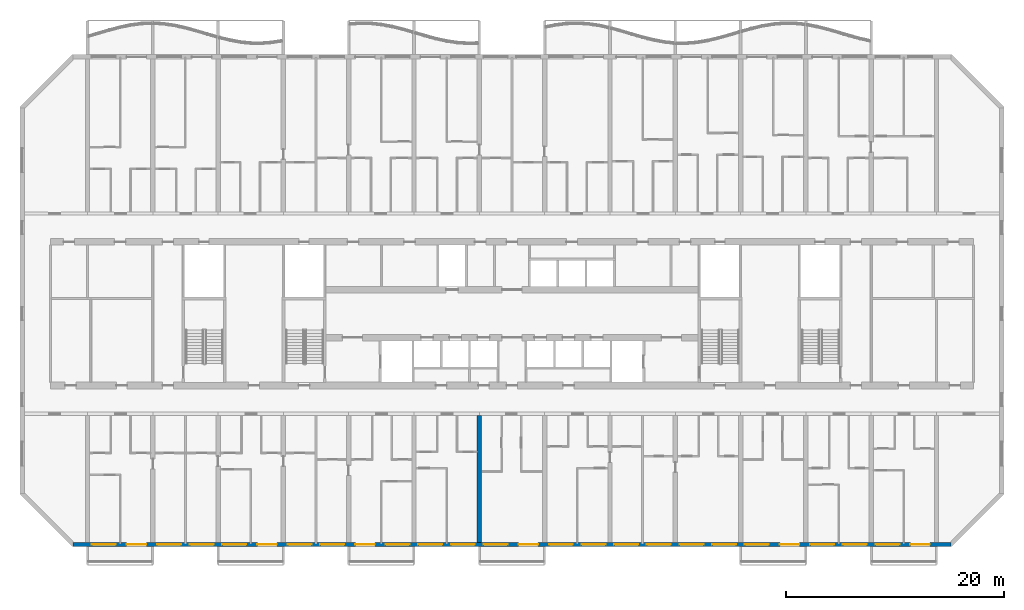
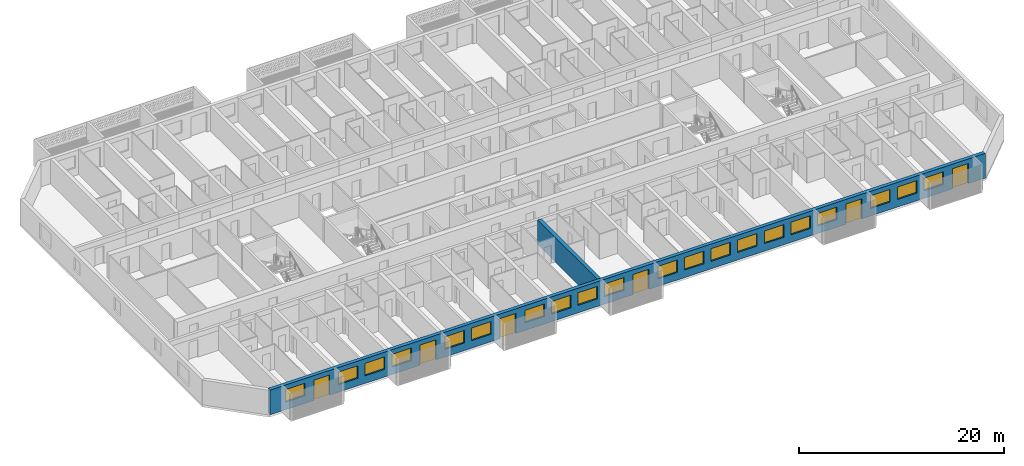
# One storey, part 4 of 39: 20 windows, 6 doors, 2 walls, 26 openings.
"""IFC4 building model written with IfcOpenShell, lengths in metres."""

from ifc_helpers import new_model, si_unit, direction, frame, frame_2d, origin, place, context, subcontext, project, spatial, rectangle, extrude, material, layer, layer_set, type_object, element, fill, save


model = new_model("IFC4")

# Units and contexts
model_context = context("Model", 3, precision=1e-05, world=origin(), true_north=direction((0.0, 1.0)))
body_context = subcontext(model_context, "Body", "Model", "MODEL_VIEW")
ifc_project = project(units=[si_unit("LENGTHUNIT", "METRE"), si_unit("AREAUNIT", "SQUARE_METRE"), si_unit("VOLUMEUNIT", "CUBIC_METRE"), si_unit("PLANEANGLEUNIT", "RADIAN"), si_unit("MASSUNIT", "GRAM", prefix="KILO")], contexts=[model_context])

# Site, building, storey
site_placement = place(None, origin())
site = spatial("IfcSite", under=ifc_project, at=site_placement, CompositionType="ELEMENT")
building_placement = place(site_placement, origin())
building = spatial("IfcBuilding", under=site, at=building_placement, Name="Poui Terraces", CompositionType="ELEMENT")
storey_placement = place(building_placement, frame((0.0, 0.0, 63.0)))
storey = spatial("IfcBuildingStorey", under=building, at=storey_placement, Name="L17", CompositionType="ELEMENT", Elevation=63.0)

# Wall
ifc_material_1 = material(Name="Concrete 80 MPa", Category="concrete")
ifc_layer_1 = layer(ifc_material_1, 0.39990234375)
ifc_layer_set_1 = layer_set([ifc_layer_1], Name="Concrete 80 MPa")
wall_type_1 = type_object("IfcWallType", Name="CROSS WALL 400 80MPa", PredefinedType="SHEAR", material=ifc_layer_set_1)
wall_1_placement = place(storey_placement, frame((48.0, 0.199951171875, 0.0), z_axis=(0.0, 0.0, 1.0), x_axis=(0.0, 1.0, 0.0)))
element("IfcWall", 1, at=wall_1_placement, inside=storey, type_object=wall_type_1, Name="CROSS WALL LINE 9 SOUTH", PredefinedType="SHEAR", context=body_context, shape_type="SweptSolid", body=[
    extrude(rectangle(XDim=11.650146484375, YDim=0.39990234375, at=frame_2d((5.8251953125, 0.0))), origin(), (0.0, 0.0, 1.0), 2.949951171875),
])

# Wall, openings, doors, windows
ifc_material_2 = material(Name="Precast concrete 40 MPa", Category="concrete")
ifc_layer_2 = layer(ifc_material_2, 0.39990234375)
ifc_layer_set_2 = layer_set([ifc_layer_2], Name="Precast concrete 40 MPa")
wall_type_2 = type_object("IfcWallType", Name="EXTERNAL WALL 400", PredefinedType="STANDARD", material=ifc_layer_set_2)
wall_2_placement = place(storey_placement, frame((10.682861328125, 0.0, 0.0), z_axis=(0.0, 0.0, 1.0), x_axis=(1.0, 0.0, 0.0)))
wall_2 = element("IfcWall", 2, at=wall_2_placement, inside=storey, type_object=wall_type_2, Name="EXTERNAL WALL S", PredefinedType="STANDARD", context=body_context, shape_type="SweptSolid", body=[
    extrude(rectangle(XDim=80.63427734375, YDim=0.39990234375, at=frame_2d((40.317138671875, 0.0))), origin(), (0.0, 0.0, 1.0), 2.949951171875),
])
opening_1_placement = place(wall_2_placement, frame((1.71728515625, 0.0, 0.89990234375)))
opening_1 = element("IfcOpeningElement", 3, at=opening_1_placement, cuts=wall_2, Name="Opening W1", PredefinedType="OPENING", context=body_context, shape_type="SweptSolid", body=[
    extrude(rectangle(XDim=2.199951171875, YDim=1.5, at=frame_2d((1.10009765625, 0.75))), frame((0.0, 0.2099609375, 0.0), z_axis=(0.0, -1.0, 0.0), x_axis=(1.0, 0.0, 0.0)), (0.0, 0.0, 1.0), 0.419921875),
])
opening_2_placement = place(wall_2_placement, frame((4.917236328125, 0.0, 0.0)))
opening_2 = element("IfcOpeningElement", 4, at=opening_2_placement, cuts=wall_2, Name="Opening BD1", PredefinedType="OPENING", context=body_context, shape_type="SweptSolid", body=[
    extrude(rectangle(XDim=1.800048828125, YDim=2.39990234375, at=frame_2d((0.89990234375, 1.199951171875))), frame((0.0, 0.2099609375, 0.0), z_axis=(0.0, -1.0, 0.0), x_axis=(1.0, 0.0, 0.0)), (0.0, 0.0, 1.0), 0.419921875),
])
opening_3_placement = place(wall_2_placement, frame((7.71728515625, 0.0, 0.89990234375)))
opening_3 = element("IfcOpeningElement", 5, at=opening_3_placement, cuts=wall_2, Name="Opening W1", PredefinedType="OPENING", context=body_context, shape_type="SweptSolid", body=[
    extrude(rectangle(XDim=2.199951171875, YDim=1.5, at=frame_2d((1.10009765625, 0.75))), frame((0.0, 0.2099609375, 0.0), z_axis=(0.0, -1.0, 0.0), x_axis=(1.0, 0.0, 0.0)), (0.0, 0.0, 1.0), 0.419921875),
])
opening_4_placement = place(wall_2_placement, frame((10.71728515625, 0.0, 0.89990234375)))
opening_4 = element("IfcOpeningElement", 6, at=opening_4_placement, cuts=wall_2, Name="Opening W1", PredefinedType="OPENING", context=body_context, shape_type="SweptSolid", body=[
    extrude(rectangle(XDim=2.199951171875, YDim=1.5, at=frame_2d((1.10009765625, 0.75))), frame((0.0, 0.2099609375, 0.0), z_axis=(0.0, -1.0, 0.0), x_axis=(1.0, 0.0, 0.0)), (0.0, 0.0, 1.0), 0.419921875),
])
opening_5_placement = place(wall_2_placement, frame((13.71728515625, 0.0, 0.89990234375)))
opening_5 = element("IfcOpeningElement", 7, at=opening_5_placement, cuts=wall_2, Name="Opening W1", PredefinedType="OPENING", context=body_context, shape_type="SweptSolid", body=[
    extrude(rectangle(XDim=2.199951171875, YDim=1.5, at=frame_2d((1.10009765625, 0.75))), frame((0.0, 0.2099609375, 0.0), z_axis=(0.0, -1.0, 0.0), x_axis=(1.0, 0.0, 0.0)), (0.0, 0.0, 1.0), 0.419921875),
])
opening_6_placement = place(wall_2_placement, frame((16.917236328125, 0.0, 0.0)))
opening_6 = element("IfcOpeningElement", 8, at=opening_6_placement, cuts=wall_2, Name="Opening BD1", PredefinedType="OPENING", context=body_context, shape_type="SweptSolid", body=[
    extrude(rectangle(XDim=1.800048828125, YDim=2.39990234375, at=frame_2d((0.89990234375, 1.199951171875))), frame((0.0, 0.2099609375, 0.0), z_axis=(0.0, -1.0, 0.0), x_axis=(1.0, 0.0, 0.0)), (0.0, 0.0, 1.0), 0.419921875),
])
opening_7_placement = place(wall_2_placement, frame((19.71728515625, 0.0, 0.89990234375)))
opening_7 = element("IfcOpeningElement", 9, at=opening_7_placement, cuts=wall_2, Name="Opening W1", PredefinedType="OPENING", context=body_context, shape_type="SweptSolid", body=[
    extrude(rectangle(XDim=2.199951171875, YDim=1.5, at=frame_2d((1.10009765625, 0.75))), frame((0.0, 0.2099609375, 0.0), z_axis=(0.0, -1.0, 0.0), x_axis=(1.0, 0.0, 0.0)), (0.0, 0.0, 1.0), 0.419921875),
])
opening_8_placement = place(wall_2_placement, frame((22.71728515625, 0.0, 0.89990234375)))
opening_8 = element("IfcOpeningElement", 10, at=opening_8_placement, cuts=wall_2, Name="Opening W1", PredefinedType="OPENING", context=body_context, shape_type="SweptSolid", body=[
    extrude(rectangle(XDim=2.199951171875, YDim=1.5, at=frame_2d((1.10009765625, 0.75))), frame((0.0, 0.2099609375, 0.0), z_axis=(0.0, -1.0, 0.0), x_axis=(1.0, 0.0, 0.0)), (0.0, 0.0, 1.0), 0.419921875),
])
opening_9_placement = place(wall_2_placement, frame((25.917236328125, 0.0, 0.0)))
opening_9 = element("IfcOpeningElement", 11, at=opening_9_placement, cuts=wall_2, Name="Opening BD1", PredefinedType="OPENING", context=body_context, shape_type="SweptSolid", body=[
    extrude(rectangle(XDim=1.800048828125, YDim=2.39990234375, at=frame_2d((0.89990234375, 1.199951171875))), frame((0.0, 0.2099609375, 0.0), z_axis=(0.0, -1.0, 0.0), x_axis=(1.0, 0.0, 0.0)), (0.0, 0.0, 1.0), 0.419921875),
])
opening_10_placement = place(wall_2_placement, frame((28.71728515625, 0.0, 0.89990234375)))
opening_10 = element("IfcOpeningElement", 12, at=opening_10_placement, cuts=wall_2, Name="Opening W1", PredefinedType="OPENING", context=body_context, shape_type="SweptSolid", body=[
    extrude(rectangle(XDim=2.199951171875, YDim=1.5, at=frame_2d((1.10009765625, 0.75))), frame((0.0, 0.2099609375, 0.0), z_axis=(0.0, -1.0, 0.0), x_axis=(1.0, 0.0, 0.0)), (0.0, 0.0, 1.0), 0.419921875),
])
opening_11_placement = place(wall_2_placement, frame((31.71728515625, 0.0, 0.89990234375)))
opening_11 = element("IfcOpeningElement", 13, at=opening_11_placement, cuts=wall_2, Name="Opening W1", PredefinedType="OPENING", context=body_context, shape_type="SweptSolid", body=[
    extrude(rectangle(XDim=2.199951171875, YDim=1.5, at=frame_2d((1.10009765625, 0.75))), frame((0.0, 0.2099609375, 0.0), z_axis=(0.0, -1.0, 0.0), x_axis=(1.0, 0.0, 0.0)), (0.0, 0.0, 1.0), 0.419921875),
])
opening_12_placement = place(wall_2_placement, frame((34.71728515625, 0.0, 0.89990234375)))
opening_12 = element("IfcOpeningElement", 14, at=opening_12_placement, cuts=wall_2, Name="Opening W1", PredefinedType="OPENING", context=body_context, shape_type="SweptSolid", body=[
    extrude(rectangle(XDim=2.199951171875, YDim=1.5, at=frame_2d((1.10009765625, 0.75))), frame((0.0, 0.2099609375, 0.0), z_axis=(0.0, -1.0, 0.0), x_axis=(1.0, 0.0, 0.0)), (0.0, 0.0, 1.0), 0.419921875),
])
opening_13_placement = place(wall_2_placement, frame((37.71728515625, 0.0, 0.89990234375)))
opening_13 = element("IfcOpeningElement", 15, at=opening_13_placement, cuts=wall_2, Name="Opening W1", PredefinedType="OPENING", context=body_context, shape_type="SweptSolid", body=[
    extrude(rectangle(XDim=2.199951171875, YDim=1.5, at=frame_2d((1.10009765625, 0.75))), frame((0.0, 0.2099609375, 0.0), z_axis=(0.0, -1.0, 0.0), x_axis=(1.0, 0.0, 0.0)), (0.0, 0.0, 1.0), 0.419921875),
])
opening_14_placement = place(wall_2_placement, frame((40.917236328125, 0.0, 0.0)))
opening_14 = element("IfcOpeningElement", 16, at=opening_14_placement, cuts=wall_2, Name="Opening BD1", PredefinedType="OPENING", context=body_context, shape_type="SweptSolid", body=[
    extrude(rectangle(XDim=1.800048828125, YDim=2.39990234375, at=frame_2d((0.89990234375, 1.199951171875))), frame((0.0, 0.2099609375, 0.0), z_axis=(0.0, -1.0, 0.0), x_axis=(1.0, 0.0, 0.0)), (0.0, 0.0, 1.0), 0.419921875),
])
opening_15_placement = place(wall_2_placement, frame((43.71728515625, 0.0, 0.89990234375)))
opening_15 = element("IfcOpeningElement", 17, at=opening_15_placement, cuts=wall_2, Name="Opening W1", PredefinedType="OPENING", context=body_context, shape_type="SweptSolid", body=[
    extrude(rectangle(XDim=2.199951171875, YDim=1.5, at=frame_2d((1.10009765625, 0.75))), frame((0.0, 0.2099609375, 0.0), z_axis=(0.0, -1.0, 0.0), x_axis=(1.0, 0.0, 0.0)), (0.0, 0.0, 1.0), 0.419921875),
])
opening_16_placement = place(wall_2_placement, frame((46.71728515625, 0.0, 0.89990234375)))
opening_16 = element("IfcOpeningElement", 18, at=opening_16_placement, cuts=wall_2, Name="Opening W1", PredefinedType="OPENING", context=body_context, shape_type="SweptSolid", body=[
    extrude(rectangle(XDim=2.199951171875, YDim=1.5, at=frame_2d((1.10009765625, 0.75))), frame((0.0, 0.2099609375, 0.0), z_axis=(0.0, -1.0, 0.0), x_axis=(1.0, 0.0, 0.0)), (0.0, 0.0, 1.0), 0.419921875),
])
opening_17_placement = place(wall_2_placement, frame((49.71728515625, 0.0, 0.89990234375)))
opening_17 = element("IfcOpeningElement", 19, at=opening_17_placement, cuts=wall_2, Name="Opening W1", PredefinedType="OPENING", context=body_context, shape_type="SweptSolid", body=[
    extrude(rectangle(XDim=2.199951171875, YDim=1.5, at=frame_2d((1.10009765625, 0.75))), frame((0.0, 0.2099609375, 0.0), z_axis=(0.0, -1.0, 0.0), x_axis=(1.0, 0.0, 0.0)), (0.0, 0.0, 1.0), 0.419921875),
])
opening_18_placement = place(wall_2_placement, frame((52.71728515625, 0.0, 0.89990234375)))
opening_18 = element("IfcOpeningElement", 20, at=opening_18_placement, cuts=wall_2, Name="Opening W1", PredefinedType="OPENING", context=body_context, shape_type="SweptSolid", body=[
    extrude(rectangle(XDim=2.199951171875, YDim=1.5, at=frame_2d((1.10009765625, 0.75))), frame((0.0, 0.2099609375, 0.0), z_axis=(0.0, -1.0, 0.0), x_axis=(1.0, 0.0, 0.0)), (0.0, 0.0, 1.0), 0.419921875),
])
opening_19_placement = place(wall_2_placement, frame((55.71728515625, 0.0, 0.89990234375)))
opening_19 = element("IfcOpeningElement", 21, at=opening_19_placement, cuts=wall_2, Name="Opening W1", PredefinedType="OPENING", context=body_context, shape_type="SweptSolid", body=[
    extrude(rectangle(XDim=2.199951171875, YDim=1.5, at=frame_2d((1.10009765625, 0.75))), frame((0.0, 0.2099609375, 0.0), z_axis=(0.0, -1.0, 0.0), x_axis=(1.0, 0.0, 0.0)), (0.0, 0.0, 1.0), 0.419921875),
])
opening_20_placement = place(wall_2_placement, frame((58.71728515625, 0.0, 0.89990234375)))
opening_20 = element("IfcOpeningElement", 22, at=opening_20_placement, cuts=wall_2, Name="Opening W1", PredefinedType="OPENING", context=body_context, shape_type="SweptSolid", body=[
    extrude(rectangle(XDim=2.199951171875, YDim=1.5, at=frame_2d((1.10009765625, 0.75))), frame((0.0, 0.2099609375, 0.0), z_axis=(0.0, -1.0, 0.0), x_axis=(1.0, 0.0, 0.0)), (0.0, 0.0, 1.0), 0.419921875),
])
opening_21_placement = place(wall_2_placement, frame((61.71728515625, 0.0, 0.89990234375)))
opening_21 = element("IfcOpeningElement", 23, at=opening_21_placement, cuts=wall_2, Name="Opening W1", PredefinedType="OPENING", context=body_context, shape_type="SweptSolid", body=[
    extrude(rectangle(XDim=2.199951171875, YDim=1.5, at=frame_2d((1.10009765625, 0.75))), frame((0.0, 0.2099609375, 0.0), z_axis=(0.0, -1.0, 0.0), x_axis=(1.0, 0.0, 0.0)), (0.0, 0.0, 1.0), 0.419921875),
])
opening_22_placement = place(wall_2_placement, frame((64.917236328125, 0.0, 0.0)))
opening_22 = element("IfcOpeningElement", 24, at=opening_22_placement, cuts=wall_2, Name="Opening BD1", PredefinedType="OPENING", context=body_context, shape_type="SweptSolid", body=[
    extrude(rectangle(XDim=1.800048828125, YDim=2.39990234375, at=frame_2d((0.89990234375, 1.199951171875))), frame((0.0, 0.2099609375, 0.0), z_axis=(0.0, -1.0, 0.0), x_axis=(1.0, 0.0, 0.0)), (0.0, 0.0, 1.0), 0.419921875),
])
opening_23_placement = place(wall_2_placement, frame((67.71728515625, 0.0, 0.89990234375)))
opening_23 = element("IfcOpeningElement", 25, at=opening_23_placement, cuts=wall_2, Name="Opening W1", PredefinedType="OPENING", context=body_context, shape_type="SweptSolid", body=[
    extrude(rectangle(XDim=2.199951171875, YDim=1.5, at=frame_2d((1.10009765625, 0.75))), frame((0.0, 0.2099609375, 0.0), z_axis=(0.0, -1.0, 0.0), x_axis=(1.0, 0.0, 0.0)), (0.0, 0.0, 1.0), 0.419921875),
])
opening_24_placement = place(wall_2_placement, frame((70.71728515625, 0.0, 0.89990234375)))
opening_24 = element("IfcOpeningElement", 26, at=opening_24_placement, cuts=wall_2, Name="Opening W1", PredefinedType="OPENING", context=body_context, shape_type="SweptSolid", body=[
    extrude(rectangle(XDim=2.199951171875, YDim=1.5, at=frame_2d((1.10009765625, 0.75))), frame((0.0, 0.2099609375, 0.0), z_axis=(0.0, -1.0, 0.0), x_axis=(1.0, 0.0, 0.0)), (0.0, 0.0, 1.0), 0.419921875),
])
opening_25_placement = place(wall_2_placement, frame((73.71728515625, 0.0, 0.89990234375)))
opening_25 = element("IfcOpeningElement", 27, at=opening_25_placement, cuts=wall_2, Name="Opening W1", PredefinedType="OPENING", context=body_context, shape_type="SweptSolid", body=[
    extrude(rectangle(XDim=2.199951171875, YDim=1.5, at=frame_2d((1.10009765625, 0.75))), frame((0.0, 0.2099609375, 0.0), z_axis=(0.0, -1.0, 0.0), x_axis=(1.0, 0.0, 0.0)), (0.0, 0.0, 1.0), 0.419921875),
])
opening_26_placement = place(wall_2_placement, frame((76.917236328125, 0.0, 0.0)))
opening_26 = element("IfcOpeningElement", 28, at=opening_26_placement, cuts=wall_2, Name="Opening BD1", PredefinedType="OPENING", context=body_context, shape_type="SweptSolid", body=[
    extrude(rectangle(XDim=1.800048828125, YDim=2.39990234375, at=frame_2d((0.89990234375, 1.199951171875))), frame((0.0, 0.2099609375, 0.0), z_axis=(0.0, -1.0, 0.0), x_axis=(1.0, 0.0, 0.0)), (0.0, 0.0, 1.0), 0.419921875),
])
ifc_material_3 = material(Name="Clear glass in aluminium frame", Category="aluminium")
door_type = type_object("IfcDoorType", Name="BALCONY DOOR 1800X2400", OperationType="DOUBLE_DOOR_SLIDING", PredefinedType="DOOR", material=ifc_material_3)
door_1_placement = place(opening_2_placement, origin())
door_1 = element("IfcDoor", 29, at=door_1_placement, inside=storey, type_object=door_type, Name="BD1 BALCONY DOOR", OperationType="DOUBLE_DOOR_SLIDING", OverallHeight=2.39990234375, OverallWidth=1.800048828125, PredefinedType="DOOR", context=body_context, shape_type="SweptSolid", body=[
    extrude(rectangle(XDim=1.800048828125, YDim=2.39990234375, at=frame_2d((0.89990234375, 1.199951171875))), frame((0.0, 0.02490234375, 0.0), z_axis=(0.0, -1.0, 0.0), x_axis=(1.0, 0.0, 0.0)), (0.0, 0.0, 1.0), 0.050048828125),
])
fill(opening_2, door_1)
door_2_placement = place(opening_6_placement, origin())
door_2 = element("IfcDoor", 30, at=door_2_placement, inside=storey, type_object=door_type, Name="BD1 BALCONY DOOR", OperationType="DOUBLE_DOOR_SLIDING", OverallHeight=2.39990234375, OverallWidth=1.800048828125, PredefinedType="DOOR", context=body_context, shape_type="SweptSolid", body=[
    extrude(rectangle(XDim=1.800048828125, YDim=2.39990234375, at=frame_2d((0.89990234375, 1.199951171875))), frame((0.0, 0.02490234375, 0.0), z_axis=(0.0, -1.0, 0.0), x_axis=(1.0, 0.0, 0.0)), (0.0, 0.0, 1.0), 0.050048828125),
])
fill(opening_6, door_2)
door_3_placement = place(opening_9_placement, origin())
door_3 = element("IfcDoor", 31, at=door_3_placement, inside=storey, type_object=door_type, Name="BD1 BALCONY DOOR", OperationType="DOUBLE_DOOR_SLIDING", OverallHeight=2.39990234375, OverallWidth=1.800048828125, PredefinedType="DOOR", context=body_context, shape_type="SweptSolid", body=[
    extrude(rectangle(XDim=1.800048828125, YDim=2.39990234375, at=frame_2d((0.89990234375, 1.199951171875))), frame((0.0, 0.02490234375, 0.0), z_axis=(0.0, -1.0, 0.0), x_axis=(1.0, 0.0, 0.0)), (0.0, 0.0, 1.0), 0.050048828125),
])
fill(opening_9, door_3)
door_4_placement = place(opening_14_placement, origin())
door_4 = element("IfcDoor", 32, at=door_4_placement, inside=storey, type_object=door_type, Name="BD1 BALCONY DOOR", OperationType="DOUBLE_DOOR_SLIDING", OverallHeight=2.39990234375, OverallWidth=1.800048828125, PredefinedType="DOOR", context=body_context, shape_type="SweptSolid", body=[
    extrude(rectangle(XDim=1.800048828125, YDim=2.39990234375, at=frame_2d((0.89990234375, 1.199951171875))), frame((0.0, 0.02490234375, 0.0), z_axis=(0.0, -1.0, 0.0), x_axis=(1.0, 0.0, 0.0)), (0.0, 0.0, 1.0), 0.050048828125),
])
fill(opening_14, door_4)
door_5_placement = place(opening_22_placement, origin())
door_5 = element("IfcDoor", 33, at=door_5_placement, inside=storey, type_object=door_type, Name="BD1 BALCONY DOOR", OperationType="DOUBLE_DOOR_SLIDING", OverallHeight=2.39990234375, OverallWidth=1.800048828125, PredefinedType="DOOR", context=body_context, shape_type="SweptSolid", body=[
    extrude(rectangle(XDim=1.800048828125, YDim=2.39990234375, at=frame_2d((0.89990234375, 1.199951171875))), frame((0.0, 0.02490234375, 0.0), z_axis=(0.0, -1.0, 0.0), x_axis=(1.0, 0.0, 0.0)), (0.0, 0.0, 1.0), 0.050048828125),
])
fill(opening_22, door_5)
door_6_placement = place(opening_26_placement, origin())
door_6 = element("IfcDoor", 34, at=door_6_placement, inside=storey, type_object=door_type, Name="BD1 BALCONY DOOR", OperationType="DOUBLE_DOOR_SLIDING", OverallHeight=2.39990234375, OverallWidth=1.800048828125, PredefinedType="DOOR", context=body_context, shape_type="SweptSolid", body=[
    extrude(rectangle(XDim=1.800048828125, YDim=2.39990234375, at=frame_2d((0.89990234375, 1.199951171875))), frame((0.0, 0.02490234375, 0.0), z_axis=(0.0, -1.0, 0.0), x_axis=(1.0, 0.0, 0.0)), (0.0, 0.0, 1.0), 0.050048828125),
])
fill(opening_26, door_6)
window_type = type_object("IfcWindowType", Name="WINDOW 2200X1500", PartitioningType="DOUBLE_PANEL_HORIZONTAL", PredefinedType="WINDOW", material=ifc_material_3)
window_1_placement = place(opening_1_placement, origin())
window_1 = element("IfcWindow", 35, at=window_1_placement, inside=storey, type_object=window_type, Name="W1 WINDOW", OverallHeight=1.5, OverallWidth=2.199951171875, PartitioningType="DOUBLE_PANEL_HORIZONTAL", PredefinedType="WINDOW", context=body_context, shape_type="SweptSolid", body=[
    extrude(rectangle(XDim=2.199951171875, YDim=1.5, at=frame_2d((1.10009765625, 0.75))), frame((0.0, 0.030029296875, 0.0), z_axis=(0.0, -1.0, 0.0), x_axis=(1.0, 0.0, 0.0)), (0.0, 0.0, 1.0), 0.06005859375),
])
fill(opening_1, window_1)
window_2_placement = place(opening_3_placement, origin())
window_2 = element("IfcWindow", 36, at=window_2_placement, inside=storey, type_object=window_type, Name="W1 WINDOW", OverallHeight=1.5, OverallWidth=2.199951171875, PartitioningType="DOUBLE_PANEL_HORIZONTAL", PredefinedType="WINDOW", context=body_context, shape_type="SweptSolid", body=[
    extrude(rectangle(XDim=2.199951171875, YDim=1.5, at=frame_2d((1.10009765625, 0.75))), frame((0.0, 0.030029296875, 0.0), z_axis=(0.0, -1.0, 0.0), x_axis=(1.0, 0.0, 0.0)), (0.0, 0.0, 1.0), 0.06005859375),
])
fill(opening_3, window_2)
window_3_placement = place(opening_4_placement, origin())
window_3 = element("IfcWindow", 37, at=window_3_placement, inside=storey, type_object=window_type, Name="W1 WINDOW", OverallHeight=1.5, OverallWidth=2.199951171875, PartitioningType="DOUBLE_PANEL_HORIZONTAL", PredefinedType="WINDOW", context=body_context, shape_type="SweptSolid", body=[
    extrude(rectangle(XDim=2.199951171875, YDim=1.5, at=frame_2d((1.10009765625, 0.75))), frame((0.0, 0.030029296875, 0.0), z_axis=(0.0, -1.0, 0.0), x_axis=(1.0, 0.0, 0.0)), (0.0, 0.0, 1.0), 0.06005859375),
])
fill(opening_4, window_3)
window_4_placement = place(opening_5_placement, origin())
window_4 = element("IfcWindow", 38, at=window_4_placement, inside=storey, type_object=window_type, Name="W1 WINDOW", OverallHeight=1.5, OverallWidth=2.199951171875, PartitioningType="DOUBLE_PANEL_HORIZONTAL", PredefinedType="WINDOW", context=body_context, shape_type="SweptSolid", body=[
    extrude(rectangle(XDim=2.199951171875, YDim=1.5, at=frame_2d((1.10009765625, 0.75))), frame((0.0, 0.030029296875, 0.0), z_axis=(0.0, -1.0, 0.0), x_axis=(1.0, 0.0, 0.0)), (0.0, 0.0, 1.0), 0.06005859375),
])
fill(opening_5, window_4)
window_5_placement = place(opening_7_placement, origin())
window_5 = element("IfcWindow", 39, at=window_5_placement, inside=storey, type_object=window_type, Name="W1 WINDOW", OverallHeight=1.5, OverallWidth=2.199951171875, PartitioningType="DOUBLE_PANEL_HORIZONTAL", PredefinedType="WINDOW", context=body_context, shape_type="SweptSolid", body=[
    extrude(rectangle(XDim=2.199951171875, YDim=1.5, at=frame_2d((1.10009765625, 0.75))), frame((0.0, 0.030029296875, 0.0), z_axis=(0.0, -1.0, 0.0), x_axis=(1.0, 0.0, 0.0)), (0.0, 0.0, 1.0), 0.06005859375),
])
fill(opening_7, window_5)
window_6_placement = place(opening_8_placement, origin())
window_6 = element("IfcWindow", 40, at=window_6_placement, inside=storey, type_object=window_type, Name="W1 WINDOW", OverallHeight=1.5, OverallWidth=2.199951171875, PartitioningType="DOUBLE_PANEL_HORIZONTAL", PredefinedType="WINDOW", context=body_context, shape_type="SweptSolid", body=[
    extrude(rectangle(XDim=2.199951171875, YDim=1.5, at=frame_2d((1.10009765625, 0.75))), frame((0.0, 0.030029296875, 0.0), z_axis=(0.0, -1.0, 0.0), x_axis=(1.0, 0.0, 0.0)), (0.0, 0.0, 1.0), 0.06005859375),
])
fill(opening_8, window_6)
window_7_placement = place(opening_10_placement, origin())
window_7 = element("IfcWindow", 41, at=window_7_placement, inside=storey, type_object=window_type, Name="W1 WINDOW", OverallHeight=1.5, OverallWidth=2.199951171875, PartitioningType="DOUBLE_PANEL_HORIZONTAL", PredefinedType="WINDOW", context=body_context, shape_type="SweptSolid", body=[
    extrude(rectangle(XDim=2.199951171875, YDim=1.5, at=frame_2d((1.10009765625, 0.75))), frame((0.0, 0.030029296875, 0.0), z_axis=(0.0, -1.0, 0.0), x_axis=(1.0, 0.0, 0.0)), (0.0, 0.0, 1.0), 0.06005859375),
])
fill(opening_10, window_7)
window_8_placement = place(opening_11_placement, origin())
window_8 = element("IfcWindow", 42, at=window_8_placement, inside=storey, type_object=window_type, Name="W1 WINDOW", OverallHeight=1.5, OverallWidth=2.199951171875, PartitioningType="DOUBLE_PANEL_HORIZONTAL", PredefinedType="WINDOW", context=body_context, shape_type="SweptSolid", body=[
    extrude(rectangle(XDim=2.199951171875, YDim=1.5, at=frame_2d((1.10009765625, 0.75))), frame((0.0, 0.030029296875, 0.0), z_axis=(0.0, -1.0, 0.0), x_axis=(1.0, 0.0, 0.0)), (0.0, 0.0, 1.0), 0.06005859375),
])
fill(opening_11, window_8)
window_9_placement = place(opening_12_placement, origin())
window_9 = element("IfcWindow", 43, at=window_9_placement, inside=storey, type_object=window_type, Name="W1 WINDOW", OverallHeight=1.5, OverallWidth=2.199951171875, PartitioningType="DOUBLE_PANEL_HORIZONTAL", PredefinedType="WINDOW", context=body_context, shape_type="SweptSolid", body=[
    extrude(rectangle(XDim=2.199951171875, YDim=1.5, at=frame_2d((1.10009765625, 0.75))), frame((0.0, 0.030029296875, 0.0), z_axis=(0.0, -1.0, 0.0), x_axis=(1.0, 0.0, 0.0)), (0.0, 0.0, 1.0), 0.06005859375),
])
fill(opening_12, window_9)
window_10_placement = place(opening_13_placement, origin())
window_10 = element("IfcWindow", 44, at=window_10_placement, inside=storey, type_object=window_type, Name="W1 WINDOW", OverallHeight=1.5, OverallWidth=2.199951171875, PartitioningType="DOUBLE_PANEL_HORIZONTAL", PredefinedType="WINDOW", context=body_context, shape_type="SweptSolid", body=[
    extrude(rectangle(XDim=2.199951171875, YDim=1.5, at=frame_2d((1.10009765625, 0.75))), frame((0.0, 0.030029296875, 0.0), z_axis=(0.0, -1.0, 0.0), x_axis=(1.0, 0.0, 0.0)), (0.0, 0.0, 1.0), 0.06005859375),
])
fill(opening_13, window_10)
window_11_placement = place(opening_15_placement, origin())
window_11 = element("IfcWindow", 45, at=window_11_placement, inside=storey, type_object=window_type, Name="W1 WINDOW", OverallHeight=1.5, OverallWidth=2.199951171875, PartitioningType="DOUBLE_PANEL_HORIZONTAL", PredefinedType="WINDOW", context=body_context, shape_type="SweptSolid", body=[
    extrude(rectangle(XDim=2.199951171875, YDim=1.5, at=frame_2d((1.10009765625, 0.75))), frame((0.0, 0.030029296875, 0.0), z_axis=(0.0, -1.0, 0.0), x_axis=(1.0, 0.0, 0.0)), (0.0, 0.0, 1.0), 0.06005859375),
])
fill(opening_15, window_11)
window_12_placement = place(opening_16_placement, origin())
window_12 = element("IfcWindow", 46, at=window_12_placement, inside=storey, type_object=window_type, Name="W1 WINDOW", OverallHeight=1.5, OverallWidth=2.199951171875, PartitioningType="DOUBLE_PANEL_HORIZONTAL", PredefinedType="WINDOW", context=body_context, shape_type="SweptSolid", body=[
    extrude(rectangle(XDim=2.199951171875, YDim=1.5, at=frame_2d((1.10009765625, 0.75))), frame((0.0, 0.030029296875, 0.0), z_axis=(0.0, -1.0, 0.0), x_axis=(1.0, 0.0, 0.0)), (0.0, 0.0, 1.0), 0.06005859375),
])
fill(opening_16, window_12)
window_13_placement = place(opening_17_placement, origin())
window_13 = element("IfcWindow", 47, at=window_13_placement, inside=storey, type_object=window_type, Name="W1 WINDOW", OverallHeight=1.5, OverallWidth=2.199951171875, PartitioningType="DOUBLE_PANEL_HORIZONTAL", PredefinedType="WINDOW", context=body_context, shape_type="SweptSolid", body=[
    extrude(rectangle(XDim=2.199951171875, YDim=1.5, at=frame_2d((1.10009765625, 0.75))), frame((0.0, 0.030029296875, 0.0), z_axis=(0.0, -1.0, 0.0), x_axis=(1.0, 0.0, 0.0)), (0.0, 0.0, 1.0), 0.06005859375),
])
fill(opening_17, window_13)
window_14_placement = place(opening_18_placement, origin())
window_14 = element("IfcWindow", 48, at=window_14_placement, inside=storey, type_object=window_type, Name="W1 WINDOW", OverallHeight=1.5, OverallWidth=2.199951171875, PartitioningType="DOUBLE_PANEL_HORIZONTAL", PredefinedType="WINDOW", context=body_context, shape_type="SweptSolid", body=[
    extrude(rectangle(XDim=2.199951171875, YDim=1.5, at=frame_2d((1.10009765625, 0.75))), frame((0.0, 0.030029296875, 0.0), z_axis=(0.0, -1.0, 0.0), x_axis=(1.0, 0.0, 0.0)), (0.0, 0.0, 1.0), 0.06005859375),
])
fill(opening_18, window_14)
window_15_placement = place(opening_19_placement, origin())
window_15 = element("IfcWindow", 49, at=window_15_placement, inside=storey, type_object=window_type, Name="W1 WINDOW", OverallHeight=1.5, OverallWidth=2.199951171875, PartitioningType="DOUBLE_PANEL_HORIZONTAL", PredefinedType="WINDOW", context=body_context, shape_type="SweptSolid", body=[
    extrude(rectangle(XDim=2.199951171875, YDim=1.5, at=frame_2d((1.10009765625, 0.75))), frame((0.0, 0.030029296875, 0.0), z_axis=(0.0, -1.0, 0.0), x_axis=(1.0, 0.0, 0.0)), (0.0, 0.0, 1.0), 0.06005859375),
])
fill(opening_19, window_15)
window_16_placement = place(opening_20_placement, origin())
window_16 = element("IfcWindow", 50, at=window_16_placement, inside=storey, type_object=window_type, Name="W1 WINDOW", OverallHeight=1.5, OverallWidth=2.199951171875, PartitioningType="DOUBLE_PANEL_HORIZONTAL", PredefinedType="WINDOW", context=body_context, shape_type="SweptSolid", body=[
    extrude(rectangle(XDim=2.199951171875, YDim=1.5, at=frame_2d((1.10009765625, 0.75))), frame((0.0, 0.030029296875, 0.0), z_axis=(0.0, -1.0, 0.0), x_axis=(1.0, 0.0, 0.0)), (0.0, 0.0, 1.0), 0.06005859375),
])
fill(opening_20, window_16)
window_17_placement = place(opening_21_placement, origin())
window_17 = element("IfcWindow", 51, at=window_17_placement, inside=storey, type_object=window_type, Name="W1 WINDOW", OverallHeight=1.5, OverallWidth=2.199951171875, PartitioningType="DOUBLE_PANEL_HORIZONTAL", PredefinedType="WINDOW", context=body_context, shape_type="SweptSolid", body=[
    extrude(rectangle(XDim=2.199951171875, YDim=1.5, at=frame_2d((1.10009765625, 0.75))), frame((0.0, 0.030029296875, 0.0), z_axis=(0.0, -1.0, 0.0), x_axis=(1.0, 0.0, 0.0)), (0.0, 0.0, 1.0), 0.06005859375),
])
fill(opening_21, window_17)
window_18_placement = place(opening_23_placement, origin())
window_18 = element("IfcWindow", 52, at=window_18_placement, inside=storey, type_object=window_type, Name="W1 WINDOW", OverallHeight=1.5, OverallWidth=2.199951171875, PartitioningType="DOUBLE_PANEL_HORIZONTAL", PredefinedType="WINDOW", context=body_context, shape_type="SweptSolid", body=[
    extrude(rectangle(XDim=2.199951171875, YDim=1.5, at=frame_2d((1.10009765625, 0.75))), frame((0.0, 0.030029296875, 0.0), z_axis=(0.0, -1.0, 0.0), x_axis=(1.0, 0.0, 0.0)), (0.0, 0.0, 1.0), 0.06005859375),
])
fill(opening_23, window_18)
window_19_placement = place(opening_24_placement, origin())
window_19 = element("IfcWindow", 53, at=window_19_placement, inside=storey, type_object=window_type, Name="W1 WINDOW", OverallHeight=1.5, OverallWidth=2.199951171875, PartitioningType="DOUBLE_PANEL_HORIZONTAL", PredefinedType="WINDOW", context=body_context, shape_type="SweptSolid", body=[
    extrude(rectangle(XDim=2.199951171875, YDim=1.5, at=frame_2d((1.10009765625, 0.75))), frame((0.0, 0.030029296875, 0.0), z_axis=(0.0, -1.0, 0.0), x_axis=(1.0, 0.0, 0.0)), (0.0, 0.0, 1.0), 0.06005859375),
])
fill(opening_24, window_19)
window_20_placement = place(opening_25_placement, origin())
window_20 = element("IfcWindow", 54, at=window_20_placement, inside=storey, type_object=window_type, Name="W1 WINDOW", OverallHeight=1.5, OverallWidth=2.199951171875, PartitioningType="DOUBLE_PANEL_HORIZONTAL", PredefinedType="WINDOW", context=body_context, shape_type="SweptSolid", body=[
    extrude(rectangle(XDim=2.199951171875, YDim=1.5, at=frame_2d((1.10009765625, 0.75))), frame((0.0, 0.030029296875, 0.0), z_axis=(0.0, -1.0, 0.0), x_axis=(1.0, 0.0, 0.0)), (0.0, 0.0, 1.0), 0.06005859375),
])
fill(opening_25, window_20)

save(model, "model.ifc")
